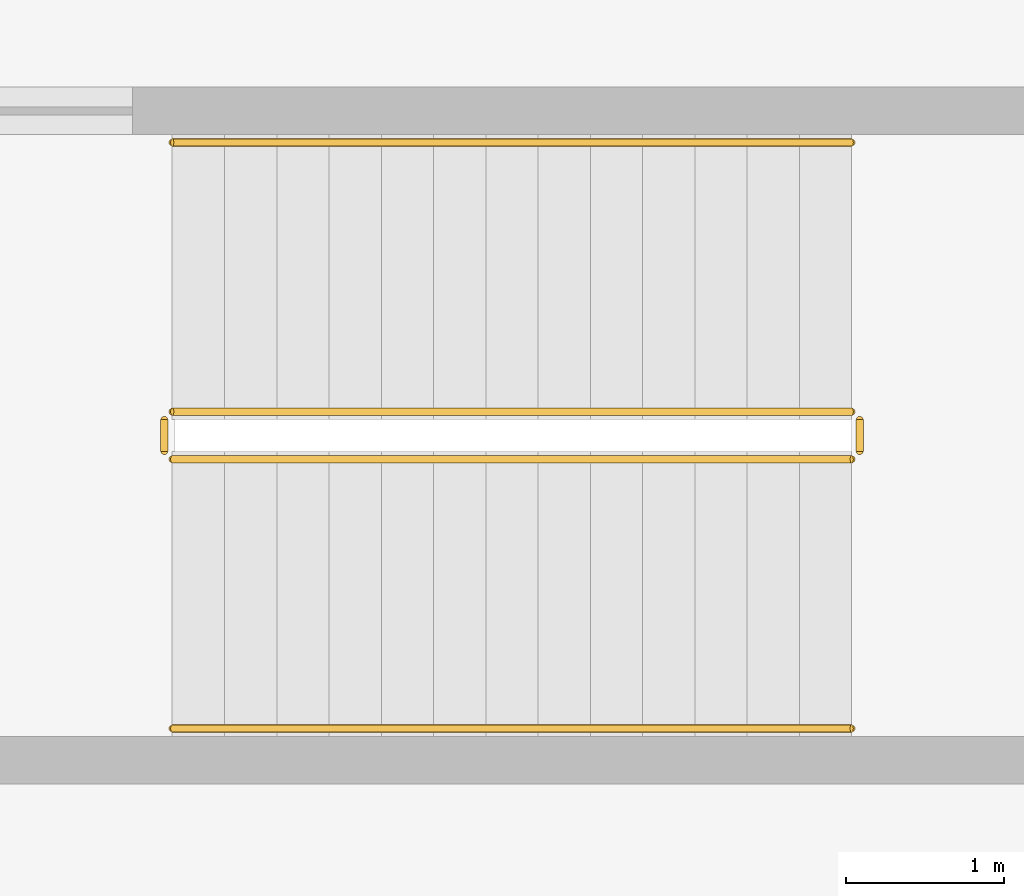
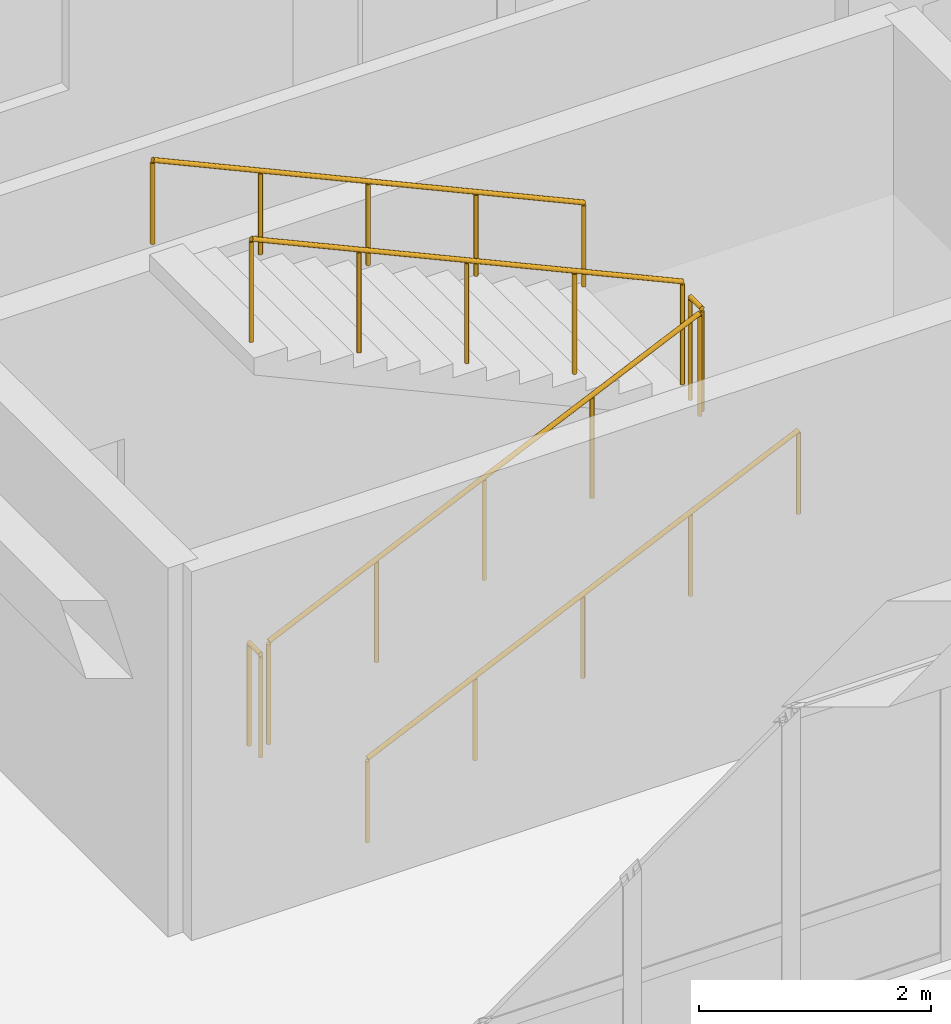
# One storey, part 85 of 89: 6 railings.
"""IFC4 building model written with IfcOpenShell, lengths in metres."""

from ifc_helpers import new_model, si_unit, direction, frame, origin, origin_2d, place, context, subcontext, project, spatial, circle, extrude, material, layer, layer_set, type_object, element, save


model = new_model("IFC4")

# Units and contexts
model_context = context("Model", 3, precision=1e-05, world=origin(), true_north=direction((0.0, 1.0)))
body_context = subcontext(model_context, "Body", "Model", "MODEL_VIEW")
ifc_project = project(units=[si_unit("LENGTHUNIT", "METRE"), si_unit("AREAUNIT", "SQUARE_METRE"), si_unit("VOLUMEUNIT", "CUBIC_METRE"), si_unit("PLANEANGLEUNIT", "RADIAN"), si_unit("MASSUNIT", "GRAM", prefix="KILO")], contexts=[model_context])

# Site, building, storey
site_placement = place(None, origin())
site = spatial("IfcSite", under=ifc_project, at=site_placement, CompositionType="ELEMENT")
building_placement = place(site_placement, origin())
building = spatial("IfcBuilding", under=site, at=building_placement, Name="Malvenik Polytechnic", CompositionType="ELEMENT")
storey_placement = place(building_placement, frame((0.0, 0.0, 13.5)))
storey = spatial("IfcBuildingStorey", under=building, at=storey_placement, Name="L03", CompositionType="ELEMENT", Elevation=13.5)

# Railings
ifc_material_1 = material(Name="Painted galvanised steel stair well balustrade 1100mm", Category="steel")
ifc_layer_1 = layer(ifc_material_1, 0.050048828125)
ifc_layer_set_1 = layer_set([ifc_layer_1], Name="Painted galvanised steel stair well balustrade 1100mm")
railing_type_1 = type_object("IfcRailingType", Name="ARC-RL-STGD", PredefinedType="BALUSTRADE", material=ifc_layer_set_1)
railing_1_placement = place(storey_placement, frame((11.39990234375, 120.89990234375, 0.14990234375)))
element("IfcRailing", 1, at=railing_1_placement, inside=storey, type_object=railing_type_1, Name="L03 ST-01 stair guard 1", PredefinedType="BALUSTRADE", context=body_context, shape_type="SweptSolid", body=[
    extrude(circle(Radius=0.02392578125, at=origin_2d()), frame((0.0, 0.0, 1.076171875), z_axis=(0.910352283233, 0.0, 0.413834170184), x_axis=(0.0, 1.0, 0.0)), (0.0, 0.0, 1.0), 4.71240234375),
    extrude(circle(Radius=0.02099609375, at=origin_2d()), origin(), (0.0, 0.0, 1.0), 1.052001953125),
    extrude(circle(Radius=0.02099609375, at=origin_2d()), frame((1.072509765625, 0.0, 0.487548828125)), (0.0, 0.0, 1.0), 1.052001953125),
    extrude(circle(Radius=0.02099609375, at=origin_2d()), frame((2.14501953125, 0.0, 0.97509765625)), (0.0, 0.0, 1.0), 1.052001953125),
    extrude(circle(Radius=0.02099609375, at=origin_2d()), frame((3.217529296875, 0.0, 1.462646484375)), (0.0, 0.0, 1.0), 1.052001953125),
    extrude(circle(Radius=0.02099609375, at=origin_2d()), frame((4.2900390625, 0.0, 1.9501953125)), (0.0, 0.0, 1.0), 1.052001953125),
])
railing_2_placement = place(storey_placement, frame((15.739990234375, 120.949951171875, 2.10009765625)))
element("IfcRailing", 2, at=railing_2_placement, inside=storey, type_object=railing_type_1, Name="L03 ST-01 stair guard 2", PredefinedType="BALUSTRADE", context=body_context, shape_type="SweptSolid", body=[
    extrude(circle(Radius=0.02392578125, at=origin_2d()), frame((0.0, 0.0, 1.076171875), z_axis=(0.0, 1.0, 0.0), x_axis=(-1.0, 0.0, 0.0)), (0.0, 0.0, 1.0), 0.199951171875),
    extrude(circle(Radius=0.02099609375, at=origin_2d()), origin(), (0.0, 0.0, 1.0), 1.052001953125),
    extrude(circle(Radius=0.02099609375, at=origin_2d()), frame((0.0, 0.199951171875, 0.0)), (0.0, 0.0, 1.0), 1.052001953125),
])
railing_3_placement = place(storey_placement, frame((15.68994140625, 121.199951171875, 2.25)))
element("IfcRailing", 3, at=railing_3_placement, inside=storey, type_object=railing_type_1, Name="L03 ST-01 stair guard 3", PredefinedType="BALUSTRADE", context=body_context, shape_type="SweptSolid", body=[
    extrude(circle(Radius=0.02392578125, at=origin_2d()), frame((0.0, 0.0, 1.076171875), z_axis=(-0.910371800137, 0.0, 0.413791234219), x_axis=(0.0, -1.0, 0.0)), (0.0, 0.0, 1.0), 4.71240234375),
    extrude(circle(Radius=0.02099609375, at=origin_2d()), origin(), (0.0, 0.0, 1.0), 1.052001953125),
    extrude(circle(Radius=0.02099609375, at=origin_2d()), frame((-1.072509765625, 0.0, 0.487548828125)), (0.0, 0.0, 1.0), 1.052001953125),
    extrude(circle(Radius=0.02099609375, at=origin_2d()), frame((-2.14501953125, 0.0, 0.97509765625)), (0.0, 0.0, 1.0), 1.052001953125),
    extrude(circle(Radius=0.02099609375, at=origin_2d()), frame((-3.217529296875, 0.0, 1.46240234375)), (0.0, 0.0, 1.0), 1.052001953125),
    extrude(circle(Radius=0.02099609375, at=origin_2d()), frame((-4.2900390625, 0.0, 1.949951171875)), (0.0, 0.0, 1.0), 1.052001953125),
])
railing_4_placement = place(storey_placement, frame((11.35009765625, 120.949951171875, 0.0)))
element("IfcRailing", 4, at=railing_4_placement, inside=storey, type_object=railing_type_1, Name="L03 ST-01 stair guard 4", PredefinedType="BALUSTRADE", context=body_context, shape_type="SweptSolid", body=[
    extrude(circle(Radius=0.02392578125, at=origin_2d()), frame((0.0, 0.0, 1.076171875), z_axis=(0.0, 1.0, 0.0), x_axis=(-1.0, 0.0, 0.0)), (0.0, 0.0, 1.0), 0.199951171875),
    extrude(circle(Radius=0.02099609375, at=origin_2d()), origin(), (0.0, 0.0, 1.0), 1.052001953125),
    extrude(circle(Radius=0.02099609375, at=origin_2d()), frame((0.0, 0.199951171875, 0.0)), (0.0, 0.0, 1.0), 1.052001953125),
])
ifc_material_2 = material(Name="Brushed stainless steel 1.4301 stair wall handrail", Category="steel")
ifc_layer_2 = layer(ifc_material_2, 0.044921875)
ifc_layer_set_2 = layer_set([ifc_layer_2], Name="Brushed stainless steel 1.4301 stair wall handrail")
railing_type_2 = type_object("IfcRailingType", Name="ARC-RL-STHR", PredefinedType="HANDRAIL", material=ifc_layer_set_2)
railing_5_placement = place(storey_placement, frame((11.39990234375, 119.199951171875, 0.14990234375)))
element("IfcRailing", 5, at=railing_5_placement, inside=storey, type_object=railing_type_2, Name="L03 ST-01 stair handrail 1", PredefinedType="HANDRAIL", context=body_context, shape_type="SweptSolid", body=[
    extrude(circle(Radius=0.02392578125, at=origin_2d()), frame((0.0, 0.0, 0.8759765625), z_axis=(0.910352283233, 0.0, 0.413834170184), x_axis=(0.0, 1.0, 0.0)), (0.0, 0.0, 1.0), 4.71240234375),
    extrude(circle(Radius=0.02099609375, at=origin_2d()), origin(), (0.0, 0.0, 1.0), 0.851806640625),
    extrude(circle(Radius=0.02099609375, at=origin_2d()), frame((1.072509765625, 0.0, 0.487548828125)), (0.0, 0.0, 1.0), 0.851806640625),
    extrude(circle(Radius=0.02099609375, at=origin_2d()), frame((2.14501953125, 0.0, 0.97509765625)), (0.0, 0.0, 1.0), 0.851806640625),
    extrude(circle(Radius=0.02099609375, at=origin_2d()), frame((3.217529296875, 0.0, 1.462646484375)), (0.0, 0.0, 1.0), 0.851806640625),
    extrude(circle(Radius=0.02099609375, at=origin_2d()), frame((4.2900390625, 0.0, 1.9501953125)), (0.0, 0.0, 1.0), 0.851806640625),
])
railing_6_placement = place(storey_placement, frame((15.68994140625, 122.89990234375, 2.25)))
element("IfcRailing", 6, at=railing_6_placement, inside=storey, type_object=railing_type_2, Name="L03 ST-01 stair handrail 2", PredefinedType="HANDRAIL", context=body_context, shape_type="SweptSolid", body=[
    extrude(circle(Radius=0.02392578125, at=origin_2d()), frame((0.0, 0.0, 0.8759765625), z_axis=(-0.910371800137, 0.0, 0.413791234219), x_axis=(0.0, -1.0, 0.0)), (0.0, 0.0, 1.0), 4.71240234375),
    extrude(circle(Radius=0.02099609375, at=origin_2d()), origin(), (0.0, 0.0, 1.0), 0.851806640625),
    extrude(circle(Radius=0.02099609375, at=origin_2d()), frame((-1.072509765625, 0.0, 0.487548828125)), (0.0, 0.0, 1.0), 0.851806640625),
    extrude(circle(Radius=0.02099609375, at=origin_2d()), frame((-2.14501953125, 0.0, 0.97509765625)), (0.0, 0.0, 1.0), 0.851806640625),
    extrude(circle(Radius=0.02099609375, at=origin_2d()), frame((-3.217529296875, 0.0, 1.46240234375)), (0.0, 0.0, 1.0), 0.851806640625),
    extrude(circle(Radius=0.02099609375, at=origin_2d()), frame((-4.2900390625, 0.0, 1.949951171875)), (0.0, 0.0, 1.0), 0.851806640625),
])

save(model, "model.ifc")
